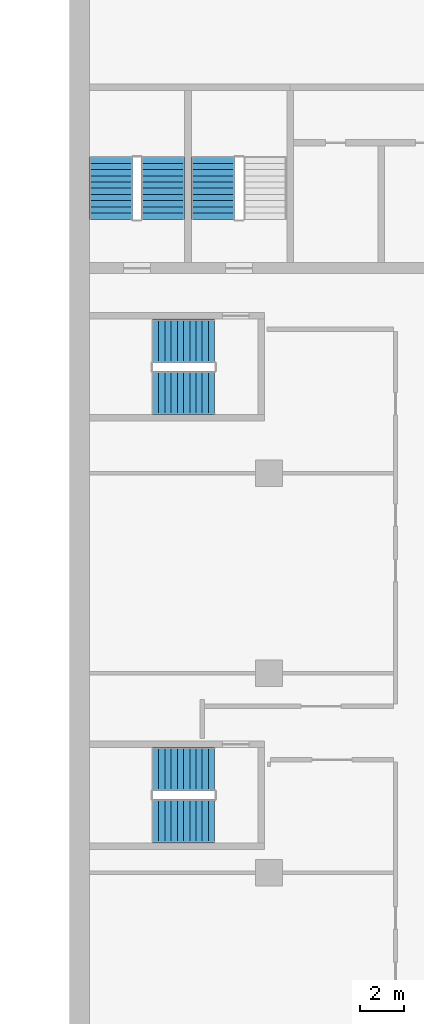
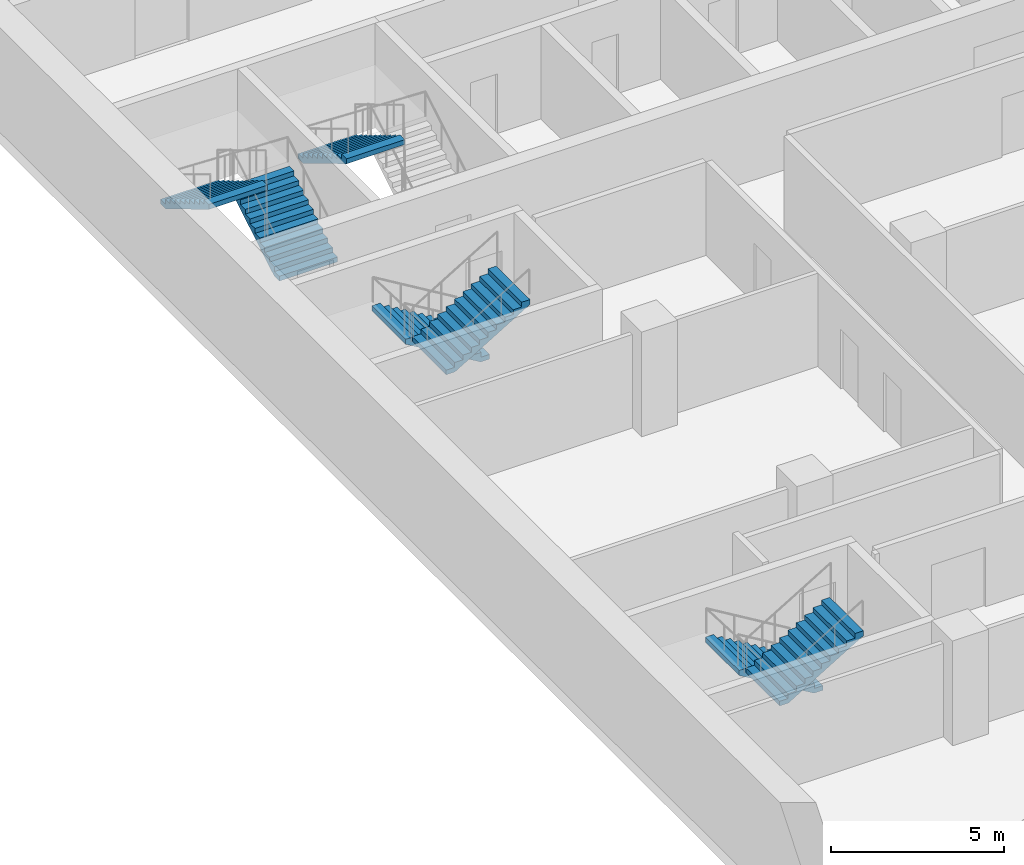
# One storey, part 15 of 22: 7 stair flights, 4 elements without a shape of their own.
"""IFC4 building model written with IfcOpenShell, lengths in metres."""

from ifc_helpers import new_model, si_unit, direction, frame, origin, place, context, subcontext, project, spatial, polyline, outline, extrude, material, type_object, element, aggregate, save


model = new_model("IFC4")

# Units and contexts
model_context = context("Model", 3, precision=1e-05, world=origin(), true_north=direction((0.0, 1.0)))
body_context = subcontext(model_context, "Body", "Model", "MODEL_VIEW")
ifc_project = project(units=[si_unit("LENGTHUNIT", "METRE"), si_unit("AREAUNIT", "SQUARE_METRE"), si_unit("VOLUMEUNIT", "CUBIC_METRE"), si_unit("PLANEANGLEUNIT", "RADIAN"), si_unit("MASSUNIT", "GRAM", prefix="KILO")], contexts=[model_context])

# Site, building, storey
site_placement = place(None, origin())
site = spatial("IfcSite", under=ifc_project, at=site_placement, CompositionType="ELEMENT")
building_placement = place(site_placement, origin())
building = spatial("IfcBuilding", under=site, at=building_placement, Name="Hunhe Ridgeline Campus", CompositionType="ELEMENT")
storey_placement = place(building_placement, frame((0.0, 0.0, 141.199951171875)))
storey = spatial("IfcBuildingStorey", under=building, at=storey_placement, Name="L35", CompositionType="ELEMENT", Elevation=141.199951171875)

# Stair, stair flights
ifc_material = material(Name="Concrete C40", Category="concrete")
stair_type = type_object("IfcStairType", Name="Reinforced concrete dog-leg stair 1950 Concrete C40", PredefinedType="HALF_TURN_STAIR", material=ifc_material)
stair_1_placement = place(storey_placement, origin())
stair_1 = element("IfcStair", 1, at=stair_1_placement, inside=storey, type_object=stair_type, Name="L35 S3", PredefinedType="HALF_TURN_STAIR")
stair_flight_type = type_object("IfcStairFlightType", Name="Reinforced concrete stair flight 1950 Concrete C40", PredefinedType="STRAIGHT", material=ifc_material)
stair_flight_1_placement = place(storey_placement, frame((4.22509765625, 65.449951171875, 0.0), z_axis=(0.0, 0.0, 1.0), x_axis=(0.0, 1.0, 0.0)))
stair_flight_1 = element("IfcStairFlight", 2, at=stair_flight_1_placement, type_object=stair_flight_type, Name="ST3 flight 1", NumberOfRisers=11, NumberOfTreads=10, PredefinedType="STRAIGHT", RiserHeight=0.168181818, TreadLength=0.28, context=body_context, shape_type="SweptSolid", body=[
    extrude(outline(polyline([(0.0, 0.0), (0.0, 0.168212890625), (0.280029296875, 0.168212890625), (0.280029296875, 0.33642578125), (0.56005859375, 0.33642578125), (0.56005859375, 0.504638671875), (0.840087890625, 0.504638671875), (0.840087890625, 0.672607421875), (1.1201171875, 0.672607421875), (1.1201171875, 0.8408203125), (1.39990234375, 0.8408203125), (1.39990234375, 1.009033203125), (1.679931640625, 1.009033203125), (1.679931640625, 1.17724609375), (1.9599609375, 1.17724609375), (1.9599609375, 1.345458984375), (2.239990234375, 1.345458984375), (2.239990234375, 1.513671875), (2.52001953125, 1.513671875), (2.52001953125, 1.681884765625), (2.800048828125, 1.681884765625), (2.800048828125, 1.85009765625), (2.800048828125, 1.5068359375), (0.291015625, 0.0), (0.0, 0.0)])), frame((0.0, 0.97509765625, 0.0), z_axis=(0.0, -1.0, 0.0), x_axis=(1.0, 0.0, 0.0)), (0.0, 0.0, 1.0), 1.949951171875),
    extrude(outline(polyline([(0.030029296875, 0.030029296875), (0.030029296875, 0.13818359375), (0.31005859375, 0.13818359375), (0.31005859375, 0.306396484375), (0.590087890625, 0.306396484375), (0.590087890625, 0.474609375), (0.8701171875, 0.474609375), (0.8701171875, 0.642578125), (1.14990234375, 0.642578125), (1.14990234375, 0.810791015625), (1.429931640625, 0.810791015625), (1.429931640625, 0.97900390625), (1.7099609375, 0.97900390625), (1.7099609375, 1.147216796875), (1.989990234375, 1.147216796875), (1.989990234375, 1.3154296875), (2.27001953125, 1.3154296875), (2.27001953125, 1.483642578125), (2.550048828125, 1.483642578125), (2.550048828125, 1.65185546875), (2.77001953125, 1.65185546875), (2.77001953125, 1.52392578125), (0.28271484375, 0.030029296875), (0.030029296875, 0.030029296875)])), frame((0.0, -0.070068359375, 0.0), z_axis=(0.0, -1.0, 0.0), x_axis=(1.0, 0.0, 0.0)), (0.0, 0.0, 1.0), 0.019775390625),
    extrude(outline(polyline([(0.030029296875, 0.030029296875), (0.030029296875, 0.13818359375), (0.31005859375, 0.13818359375), (0.31005859375, 0.306396484375), (0.590087890625, 0.306396484375), (0.590087890625, 0.474609375), (0.8701171875, 0.474609375), (0.8701171875, 0.642578125), (1.14990234375, 0.642578125), (1.14990234375, 0.810791015625), (1.429931640625, 0.810791015625), (1.429931640625, 0.97900390625), (1.7099609375, 0.97900390625), (1.7099609375, 1.147216796875), (1.989990234375, 1.147216796875), (1.989990234375, 1.3154296875), (2.27001953125, 1.3154296875), (2.27001953125, 1.483642578125), (2.550048828125, 1.483642578125), (2.550048828125, 1.65185546875), (2.77001953125, 1.65185546875), (2.77001953125, 1.52392578125), (0.28271484375, 0.030029296875), (0.030029296875, 0.030029296875)])), frame((0.0, 0.010009765625, 0.0), z_axis=(0.0, -1.0, 0.0), x_axis=(1.0, 0.0, 0.0)), (0.0, 0.0, 1.0), 0.019775390625),
    extrude(outline(polyline([(0.030029296875, 0.030029296875), (0.030029296875, 0.13818359375), (0.31005859375, 0.13818359375), (0.31005859375, 0.306396484375), (0.590087890625, 0.306396484375), (0.590087890625, 0.474609375), (0.8701171875, 0.474609375), (0.8701171875, 0.642578125), (1.14990234375, 0.642578125), (1.14990234375, 0.810791015625), (1.429931640625, 0.810791015625), (1.429931640625, 0.97900390625), (1.7099609375, 0.97900390625), (1.7099609375, 1.147216796875), (1.989990234375, 1.147216796875), (1.989990234375, 1.3154296875), (2.27001953125, 1.3154296875), (2.27001953125, 1.483642578125), (2.550048828125, 1.483642578125), (2.550048828125, 1.65185546875), (2.77001953125, 1.65185546875), (2.77001953125, 1.52392578125), (0.28271484375, 0.030029296875), (0.030029296875, 0.030029296875)])), frame((0.0, 0.090087890625, 0.0), z_axis=(0.0, -1.0, 0.0), x_axis=(1.0, 0.0, 0.0)), (0.0, 0.0, 1.0), 0.019775390625),
])
stair_flight_2_placement = place(storey_placement, frame((1.875, 68.25, 1.85009765625), z_axis=(0.0, 0.0, 1.0), x_axis=(0.0, -1.0, 0.0)))
stair_flight_2 = element("IfcStairFlight", 3, at=stair_flight_2_placement, type_object=stair_flight_type, Name="ST3 flight 2", NumberOfRisers=11, NumberOfTreads=10, PredefinedType="STRAIGHT", RiserHeight=0.168181818, TreadLength=0.28, context=body_context, shape_type="SweptSolid", body=[
    extrude(outline(polyline([(0.0, 0.0), (0.0, 0.168212890625), (0.280029296875, 0.168212890625), (0.280029296875, 0.33642578125), (0.56005859375, 0.33642578125), (0.56005859375, 0.504638671875), (0.840087890625, 0.504638671875), (0.840087890625, 0.672607421875), (1.1201171875, 0.672607421875), (1.1201171875, 0.8408203125), (1.39990234375, 0.8408203125), (1.39990234375, 1.009033203125), (1.679931640625, 1.009033203125), (1.679931640625, 1.17724609375), (1.9599609375, 1.17724609375), (1.9599609375, 1.345458984375), (2.239990234375, 1.345458984375), (2.239990234375, 1.513671875), (2.52001953125, 1.513671875), (2.52001953125, 1.681884765625), (2.800048828125, 1.681884765625), (2.800048828125, 1.85009765625), (2.800048828125, 1.5068359375), (0.291015625, 0.0), (0.0, 0.0)])), frame((0.0, 0.97509765625, 0.0), z_axis=(0.0, -1.0, 0.0), x_axis=(1.0, 0.0, 0.0)), (0.0, 0.0, 1.0), 1.949951171875),
    extrude(outline(polyline([(0.030029296875, 0.030029296875), (0.030029296875, 0.13818359375), (0.31005859375, 0.13818359375), (0.31005859375, 0.306396484375), (0.590087890625, 0.306396484375), (0.590087890625, 0.474609375), (0.8701171875, 0.474609375), (0.8701171875, 0.642578125), (1.14990234375, 0.642578125), (1.14990234375, 0.810791015625), (1.429931640625, 0.810791015625), (1.429931640625, 0.97900390625), (1.7099609375, 0.97900390625), (1.7099609375, 1.147216796875), (1.989990234375, 1.147216796875), (1.989990234375, 1.3154296875), (2.27001953125, 1.3154296875), (2.27001953125, 1.483642578125), (2.550048828125, 1.483642578125), (2.550048828125, 1.65185546875), (2.77001953125, 1.65185546875), (2.77001953125, 1.52392578125), (0.28271484375, 0.030029296875), (0.030029296875, 0.030029296875)])), frame((0.0, -0.070068359375, 0.0), z_axis=(0.0, -1.0, 0.0), x_axis=(1.0, 0.0, 0.0)), (0.0, 0.0, 1.0), 0.019775390625),
    extrude(outline(polyline([(0.030029296875, 0.030029296875), (0.030029296875, 0.13818359375), (0.31005859375, 0.13818359375), (0.31005859375, 0.306396484375), (0.590087890625, 0.306396484375), (0.590087890625, 0.474609375), (0.8701171875, 0.474609375), (0.8701171875, 0.642578125), (1.14990234375, 0.642578125), (1.14990234375, 0.810791015625), (1.429931640625, 0.810791015625), (1.429931640625, 0.97900390625), (1.7099609375, 0.97900390625), (1.7099609375, 1.147216796875), (1.989990234375, 1.147216796875), (1.989990234375, 1.3154296875), (2.27001953125, 1.3154296875), (2.27001953125, 1.483642578125), (2.550048828125, 1.483642578125), (2.550048828125, 1.65185546875), (2.77001953125, 1.65185546875), (2.77001953125, 1.52392578125), (0.28271484375, 0.030029296875), (0.030029296875, 0.030029296875)])), frame((0.0, 0.010009765625, 0.0), z_axis=(0.0, -1.0, 0.0), x_axis=(1.0, 0.0, 0.0)), (0.0, 0.0, 1.0), 0.019775390625),
    extrude(outline(polyline([(0.030029296875, 0.030029296875), (0.030029296875, 0.13818359375), (0.31005859375, 0.13818359375), (0.31005859375, 0.306396484375), (0.590087890625, 0.306396484375), (0.590087890625, 0.474609375), (0.8701171875, 0.474609375), (0.8701171875, 0.642578125), (1.14990234375, 0.642578125), (1.14990234375, 0.810791015625), (1.429931640625, 0.810791015625), (1.429931640625, 0.97900390625), (1.7099609375, 0.97900390625), (1.7099609375, 1.147216796875), (1.989990234375, 1.147216796875), (1.989990234375, 1.3154296875), (2.27001953125, 1.3154296875), (2.27001953125, 1.483642578125), (2.550048828125, 1.483642578125), (2.550048828125, 1.65185546875), (2.77001953125, 1.65185546875), (2.77001953125, 1.52392578125), (0.28271484375, 0.030029296875), (0.030029296875, 0.030029296875)])), frame((0.0, 0.090087890625, 0.0), z_axis=(0.0, -1.0, 0.0), x_axis=(1.0, 0.0, 0.0)), (0.0, 0.0, 1.0), 0.019775390625),
])
aggregate(stair_1, [stair_flight_1, stair_flight_2])

# Stair, stair flight
stair_2_placement = place(storey_placement, origin())
stair_2 = element("IfcStair", 4, at=stair_2_placement, inside=storey, type_object=stair_type, Name="L35 S4", PredefinedType="HALF_TURN_STAIR")
stair_flight_3_placement = place(storey_placement, frame((6.47509765625, 68.25, 1.85009765625), z_axis=(0.0, 0.0, 1.0), x_axis=(0.0, -1.0, 0.0)))
stair_flight_3 = element("IfcStairFlight", 5, at=stair_flight_3_placement, type_object=stair_flight_type, Name="ST4 flight 2", NumberOfRisers=11, NumberOfTreads=10, PredefinedType="STRAIGHT", RiserHeight=0.168181818, TreadLength=0.28, context=body_context, shape_type="SweptSolid", body=[
    extrude(outline(polyline([(0.0, 0.0), (0.0, 0.168212890625), (0.280029296875, 0.168212890625), (0.280029296875, 0.33642578125), (0.56005859375, 0.33642578125), (0.56005859375, 0.504638671875), (0.840087890625, 0.504638671875), (0.840087890625, 0.672607421875), (1.1201171875, 0.672607421875), (1.1201171875, 0.8408203125), (1.39990234375, 0.8408203125), (1.39990234375, 1.009033203125), (1.679931640625, 1.009033203125), (1.679931640625, 1.17724609375), (1.9599609375, 1.17724609375), (1.9599609375, 1.345458984375), (2.239990234375, 1.345458984375), (2.239990234375, 1.513671875), (2.52001953125, 1.513671875), (2.52001953125, 1.681884765625), (2.800048828125, 1.681884765625), (2.800048828125, 1.85009765625), (2.800048828125, 1.5068359375), (0.291015625, 0.0), (0.0, 0.0)])), frame((0.0, 0.97509765625, 0.0), z_axis=(0.0, -1.0, 0.0), x_axis=(1.0, 0.0, 0.0)), (0.0, 0.0, 1.0), 1.949951171875),
    extrude(outline(polyline([(0.030029296875, 0.030029296875), (0.030029296875, 0.13818359375), (0.31005859375, 0.13818359375), (0.31005859375, 0.306396484375), (0.590087890625, 0.306396484375), (0.590087890625, 0.474609375), (0.8701171875, 0.474609375), (0.8701171875, 0.642578125), (1.14990234375, 0.642578125), (1.14990234375, 0.810791015625), (1.429931640625, 0.810791015625), (1.429931640625, 0.97900390625), (1.7099609375, 0.97900390625), (1.7099609375, 1.147216796875), (1.989990234375, 1.147216796875), (1.989990234375, 1.3154296875), (2.27001953125, 1.3154296875), (2.27001953125, 1.483642578125), (2.550048828125, 1.483642578125), (2.550048828125, 1.65185546875), (2.77001953125, 1.65185546875), (2.77001953125, 1.52392578125), (0.28271484375, 0.030029296875), (0.030029296875, 0.030029296875)])), frame((0.0, -0.070068359375, 0.0), z_axis=(0.0, -1.0, 0.0), x_axis=(1.0, 0.0, 0.0)), (0.0, 0.0, 1.0), 0.019775390625),
    extrude(outline(polyline([(0.030029296875, 0.030029296875), (0.030029296875, 0.13818359375), (0.31005859375, 0.13818359375), (0.31005859375, 0.306396484375), (0.590087890625, 0.306396484375), (0.590087890625, 0.474609375), (0.8701171875, 0.474609375), (0.8701171875, 0.642578125), (1.14990234375, 0.642578125), (1.14990234375, 0.810791015625), (1.429931640625, 0.810791015625), (1.429931640625, 0.97900390625), (1.7099609375, 0.97900390625), (1.7099609375, 1.147216796875), (1.989990234375, 1.147216796875), (1.989990234375, 1.3154296875), (2.27001953125, 1.3154296875), (2.27001953125, 1.483642578125), (2.550048828125, 1.483642578125), (2.550048828125, 1.65185546875), (2.77001953125, 1.65185546875), (2.77001953125, 1.52392578125), (0.28271484375, 0.030029296875), (0.030029296875, 0.030029296875)])), frame((0.0, 0.010009765625, 0.0), z_axis=(0.0, -1.0, 0.0), x_axis=(1.0, 0.0, 0.0)), (0.0, 0.0, 1.0), 0.019775390625),
    extrude(outline(polyline([(0.030029296875, 0.030029296875), (0.030029296875, 0.13818359375), (0.31005859375, 0.13818359375), (0.31005859375, 0.306396484375), (0.590087890625, 0.306396484375), (0.590087890625, 0.474609375), (0.8701171875, 0.474609375), (0.8701171875, 0.642578125), (1.14990234375, 0.642578125), (1.14990234375, 0.810791015625), (1.429931640625, 0.810791015625), (1.429931640625, 0.97900390625), (1.7099609375, 0.97900390625), (1.7099609375, 1.147216796875), (1.989990234375, 1.147216796875), (1.989990234375, 1.3154296875), (2.27001953125, 1.3154296875), (2.27001953125, 1.483642578125), (2.550048828125, 1.483642578125), (2.550048828125, 1.65185546875), (2.77001953125, 1.65185546875), (2.77001953125, 1.52392578125), (0.28271484375, 0.030029296875), (0.030029296875, 0.030029296875)])), frame((0.0, 0.090087890625, 0.0), z_axis=(0.0, -1.0, 0.0), x_axis=(1.0, 0.0, 0.0)), (0.0, 0.0, 1.0), 0.019775390625),
])
aggregate(stair_2, [stair_flight_3])

# Stair, stair flights
stair_3_placement = place(storey_placement, origin())
stair_3 = element("IfcStair", 6, at=stair_3_placement, inside=storey, type_object=stair_type, Name="L35 W1", PredefinedType="HALF_TURN_STAIR")
stair_flight_4_placement = place(storey_placement, frame((6.550048828125, 40.675048828125, 0.0), z_axis=(0.0, 0.0, 1.0), x_axis=(-1.0, 0.0, 0.0)))
stair_flight_4 = element("IfcStairFlight", 7, at=stair_flight_4_placement, type_object=stair_flight_type, Name="ST11 flight 1", NumberOfRisers=11, NumberOfTreads=10, PredefinedType="STRAIGHT", RiserHeight=0.168181818, TreadLength=0.28, context=body_context, shape_type="SweptSolid", body=[
    extrude(outline(polyline([(0.0, 0.0), (0.0, 0.168212890625), (0.280029296875, 0.168212890625), (0.280029296875, 0.33642578125), (0.56005859375, 0.33642578125), (0.56005859375, 0.504638671875), (0.840087890625, 0.504638671875), (0.840087890625, 0.672607421875), (1.1201171875, 0.672607421875), (1.1201171875, 0.8408203125), (1.39990234375, 0.8408203125), (1.39990234375, 1.009033203125), (1.679931640625, 1.009033203125), (1.679931640625, 1.17724609375), (1.9599609375, 1.17724609375), (1.9599609375, 1.345458984375), (2.239990234375, 1.345458984375), (2.239990234375, 1.513671875), (2.52001953125, 1.513671875), (2.52001953125, 1.681884765625), (2.800048828125, 1.681884765625), (2.800048828125, 1.85009765625), (2.800048828125, 1.5068359375), (0.291015625, 0.0), (0.0, 0.0)])), frame((0.0, 0.97509765625, 0.0), z_axis=(0.0, -1.0, 0.0), x_axis=(1.0, 0.0, 0.0)), (0.0, 0.0, 1.0), 1.949951171875),
    extrude(outline(polyline([(0.030029296875, 0.030029296875), (0.030029296875, 0.13818359375), (0.31005859375, 0.13818359375), (0.31005859375, 0.306396484375), (0.590087890625, 0.306396484375), (0.590087890625, 0.474609375), (0.8701171875, 0.474609375), (0.8701171875, 0.642578125), (1.14990234375, 0.642578125), (1.14990234375, 0.810791015625), (1.429931640625, 0.810791015625), (1.429931640625, 0.97900390625), (1.7099609375, 0.97900390625), (1.7099609375, 1.147216796875), (1.989990234375, 1.147216796875), (1.989990234375, 1.3154296875), (2.27001953125, 1.3154296875), (2.27001953125, 1.483642578125), (2.550048828125, 1.483642578125), (2.550048828125, 1.65185546875), (2.77001953125, 1.65185546875), (2.77001953125, 1.52392578125), (0.28271484375, 0.030029296875), (0.030029296875, 0.030029296875)])), frame((0.0, -0.070068359375, 0.0), z_axis=(0.0, -1.0, 0.0), x_axis=(1.0, 0.0, 0.0)), (0.0, 0.0, 1.0), 0.019775390625),
    extrude(outline(polyline([(0.030029296875, 0.030029296875), (0.030029296875, 0.13818359375), (0.31005859375, 0.13818359375), (0.31005859375, 0.306396484375), (0.590087890625, 0.306396484375), (0.590087890625, 0.474609375), (0.8701171875, 0.474609375), (0.8701171875, 0.642578125), (1.14990234375, 0.642578125), (1.14990234375, 0.810791015625), (1.429931640625, 0.810791015625), (1.429931640625, 0.97900390625), (1.7099609375, 0.97900390625), (1.7099609375, 1.147216796875), (1.989990234375, 1.147216796875), (1.989990234375, 1.3154296875), (2.27001953125, 1.3154296875), (2.27001953125, 1.483642578125), (2.550048828125, 1.483642578125), (2.550048828125, 1.65185546875), (2.77001953125, 1.65185546875), (2.77001953125, 1.52392578125), (0.28271484375, 0.030029296875), (0.030029296875, 0.030029296875)])), frame((0.0, 0.010009765625, 0.0), z_axis=(0.0, -1.0, 0.0), x_axis=(1.0, 0.0, 0.0)), (0.0, 0.0, 1.0), 0.019775390625),
    extrude(outline(polyline([(0.030029296875, 0.030029296875), (0.030029296875, 0.13818359375), (0.31005859375, 0.13818359375), (0.31005859375, 0.306396484375), (0.590087890625, 0.306396484375), (0.590087890625, 0.474609375), (0.8701171875, 0.474609375), (0.8701171875, 0.642578125), (1.14990234375, 0.642578125), (1.14990234375, 0.810791015625), (1.429931640625, 0.810791015625), (1.429931640625, 0.97900390625), (1.7099609375, 0.97900390625), (1.7099609375, 1.147216796875), (1.989990234375, 1.147216796875), (1.989990234375, 1.3154296875), (2.27001953125, 1.3154296875), (2.27001953125, 1.483642578125), (2.550048828125, 1.483642578125), (2.550048828125, 1.65185546875), (2.77001953125, 1.65185546875), (2.77001953125, 1.52392578125), (0.28271484375, 0.030029296875), (0.030029296875, 0.030029296875)])), frame((0.0, 0.090087890625, 0.0), z_axis=(0.0, -1.0, 0.0), x_axis=(1.0, 0.0, 0.0)), (0.0, 0.0, 1.0), 0.019775390625),
])
stair_flight_5_placement = place(storey_placement, frame((3.75, 38.324951171875, 1.85009765625), z_axis=(0.0, 0.0, 1.0), x_axis=(1.0, 0.0, 0.0)))
stair_flight_5 = element("IfcStairFlight", 8, at=stair_flight_5_placement, type_object=stair_flight_type, Name="ST11 flight 2", NumberOfRisers=11, NumberOfTreads=10, PredefinedType="STRAIGHT", RiserHeight=0.168181818, TreadLength=0.28, context=body_context, shape_type="SweptSolid", body=[
    extrude(outline(polyline([(0.0, 0.0), (0.0, 0.168212890625), (0.280029296875, 0.168212890625), (0.280029296875, 0.33642578125), (0.56005859375, 0.33642578125), (0.56005859375, 0.504638671875), (0.840087890625, 0.504638671875), (0.840087890625, 0.672607421875), (1.1201171875, 0.672607421875), (1.1201171875, 0.8408203125), (1.39990234375, 0.8408203125), (1.39990234375, 1.009033203125), (1.679931640625, 1.009033203125), (1.679931640625, 1.17724609375), (1.9599609375, 1.17724609375), (1.9599609375, 1.345458984375), (2.239990234375, 1.345458984375), (2.239990234375, 1.513671875), (2.52001953125, 1.513671875), (2.52001953125, 1.681884765625), (2.800048828125, 1.681884765625), (2.800048828125, 1.85009765625), (2.800048828125, 1.5068359375), (0.291015625, 0.0), (0.0, 0.0)])), frame((0.0, 0.97509765625, 0.0), z_axis=(0.0, -1.0, 0.0), x_axis=(1.0, 0.0, 0.0)), (0.0, 0.0, 1.0), 1.949951171875),
    extrude(outline(polyline([(0.030029296875, 0.030029296875), (0.030029296875, 0.13818359375), (0.31005859375, 0.13818359375), (0.31005859375, 0.306396484375), (0.590087890625, 0.306396484375), (0.590087890625, 0.474609375), (0.8701171875, 0.474609375), (0.8701171875, 0.642578125), (1.14990234375, 0.642578125), (1.14990234375, 0.810791015625), (1.429931640625, 0.810791015625), (1.429931640625, 0.97900390625), (1.7099609375, 0.97900390625), (1.7099609375, 1.147216796875), (1.989990234375, 1.147216796875), (1.989990234375, 1.3154296875), (2.27001953125, 1.3154296875), (2.27001953125, 1.483642578125), (2.550048828125, 1.483642578125), (2.550048828125, 1.65185546875), (2.77001953125, 1.65185546875), (2.77001953125, 1.52392578125), (0.28271484375, 0.030029296875), (0.030029296875, 0.030029296875)])), frame((0.0, -0.070068359375, 0.0), z_axis=(0.0, -1.0, 0.0), x_axis=(1.0, 0.0, 0.0)), (0.0, 0.0, 1.0), 0.019775390625),
    extrude(outline(polyline([(0.030029296875, 0.030029296875), (0.030029296875, 0.13818359375), (0.31005859375, 0.13818359375), (0.31005859375, 0.306396484375), (0.590087890625, 0.306396484375), (0.590087890625, 0.474609375), (0.8701171875, 0.474609375), (0.8701171875, 0.642578125), (1.14990234375, 0.642578125), (1.14990234375, 0.810791015625), (1.429931640625, 0.810791015625), (1.429931640625, 0.97900390625), (1.7099609375, 0.97900390625), (1.7099609375, 1.147216796875), (1.989990234375, 1.147216796875), (1.989990234375, 1.3154296875), (2.27001953125, 1.3154296875), (2.27001953125, 1.483642578125), (2.550048828125, 1.483642578125), (2.550048828125, 1.65185546875), (2.77001953125, 1.65185546875), (2.77001953125, 1.52392578125), (0.28271484375, 0.030029296875), (0.030029296875, 0.030029296875)])), frame((0.0, 0.010009765625, 0.0), z_axis=(0.0, -1.0, 0.0), x_axis=(1.0, 0.0, 0.0)), (0.0, 0.0, 1.0), 0.019775390625),
    extrude(outline(polyline([(0.030029296875, 0.030029296875), (0.030029296875, 0.13818359375), (0.31005859375, 0.13818359375), (0.31005859375, 0.306396484375), (0.590087890625, 0.306396484375), (0.590087890625, 0.474609375), (0.8701171875, 0.474609375), (0.8701171875, 0.642578125), (1.14990234375, 0.642578125), (1.14990234375, 0.810791015625), (1.429931640625, 0.810791015625), (1.429931640625, 0.97900390625), (1.7099609375, 0.97900390625), (1.7099609375, 1.147216796875), (1.989990234375, 1.147216796875), (1.989990234375, 1.3154296875), (2.27001953125, 1.3154296875), (2.27001953125, 1.483642578125), (2.550048828125, 1.483642578125), (2.550048828125, 1.65185546875), (2.77001953125, 1.65185546875), (2.77001953125, 1.52392578125), (0.28271484375, 0.030029296875), (0.030029296875, 0.030029296875)])), frame((0.0, 0.090087890625, 0.0), z_axis=(0.0, -1.0, 0.0), x_axis=(1.0, 0.0, 0.0)), (0.0, 0.0, 1.0), 0.019775390625),
])
aggregate(stair_3, [stair_flight_4, stair_flight_5])

stair_4_placement = place(storey_placement, origin())
stair_4 = element("IfcStair", 9, at=stair_4_placement, inside=storey, type_object=stair_type, Name="L35 W2", PredefinedType="HALF_TURN_STAIR")
stair_flight_6_placement = place(storey_placement, frame((6.550048828125, 59.97509765625, 0.0), z_axis=(0.0, 0.0, 1.0), x_axis=(-1.0, 0.0, 0.0)))
stair_flight_6 = element("IfcStairFlight", 10, at=stair_flight_6_placement, type_object=stair_flight_type, Name="ST12 flight 1", NumberOfRisers=11, NumberOfTreads=10, PredefinedType="STRAIGHT", RiserHeight=0.168181818, TreadLength=0.28, context=body_context, shape_type="SweptSolid", body=[
    extrude(outline(polyline([(0.0, 0.0), (0.0, 0.168212890625), (0.280029296875, 0.168212890625), (0.280029296875, 0.33642578125), (0.56005859375, 0.33642578125), (0.56005859375, 0.504638671875), (0.840087890625, 0.504638671875), (0.840087890625, 0.672607421875), (1.1201171875, 0.672607421875), (1.1201171875, 0.8408203125), (1.39990234375, 0.8408203125), (1.39990234375, 1.009033203125), (1.679931640625, 1.009033203125), (1.679931640625, 1.17724609375), (1.9599609375, 1.17724609375), (1.9599609375, 1.345458984375), (2.239990234375, 1.345458984375), (2.239990234375, 1.513671875), (2.52001953125, 1.513671875), (2.52001953125, 1.681884765625), (2.800048828125, 1.681884765625), (2.800048828125, 1.85009765625), (2.800048828125, 1.5068359375), (0.291015625, 0.0), (0.0, 0.0)])), frame((0.0, 0.97509765625, 0.0), z_axis=(0.0, -1.0, 0.0), x_axis=(1.0, 0.0, 0.0)), (0.0, 0.0, 1.0), 1.949951171875),
    extrude(outline(polyline([(0.030029296875, 0.030029296875), (0.030029296875, 0.13818359375), (0.31005859375, 0.13818359375), (0.31005859375, 0.306396484375), (0.590087890625, 0.306396484375), (0.590087890625, 0.474609375), (0.8701171875, 0.474609375), (0.8701171875, 0.642578125), (1.14990234375, 0.642578125), (1.14990234375, 0.810791015625), (1.429931640625, 0.810791015625), (1.429931640625, 0.97900390625), (1.7099609375, 0.97900390625), (1.7099609375, 1.147216796875), (1.989990234375, 1.147216796875), (1.989990234375, 1.3154296875), (2.27001953125, 1.3154296875), (2.27001953125, 1.483642578125), (2.550048828125, 1.483642578125), (2.550048828125, 1.65185546875), (2.77001953125, 1.65185546875), (2.77001953125, 1.52392578125), (0.28271484375, 0.030029296875), (0.030029296875, 0.030029296875)])), frame((0.0, -0.070068359375, 0.0), z_axis=(0.0, -1.0, 0.0), x_axis=(1.0, 0.0, 0.0)), (0.0, 0.0, 1.0), 0.019775390625),
    extrude(outline(polyline([(0.030029296875, 0.030029296875), (0.030029296875, 0.13818359375), (0.31005859375, 0.13818359375), (0.31005859375, 0.306396484375), (0.590087890625, 0.306396484375), (0.590087890625, 0.474609375), (0.8701171875, 0.474609375), (0.8701171875, 0.642578125), (1.14990234375, 0.642578125), (1.14990234375, 0.810791015625), (1.429931640625, 0.810791015625), (1.429931640625, 0.97900390625), (1.7099609375, 0.97900390625), (1.7099609375, 1.147216796875), (1.989990234375, 1.147216796875), (1.989990234375, 1.3154296875), (2.27001953125, 1.3154296875), (2.27001953125, 1.483642578125), (2.550048828125, 1.483642578125), (2.550048828125, 1.65185546875), (2.77001953125, 1.65185546875), (2.77001953125, 1.52392578125), (0.28271484375, 0.030029296875), (0.030029296875, 0.030029296875)])), frame((0.0, 0.010009765625, 0.0), z_axis=(0.0, -1.0, 0.0), x_axis=(1.0, 0.0, 0.0)), (0.0, 0.0, 1.0), 0.019775390625),
    extrude(outline(polyline([(0.030029296875, 0.030029296875), (0.030029296875, 0.13818359375), (0.31005859375, 0.13818359375), (0.31005859375, 0.306396484375), (0.590087890625, 0.306396484375), (0.590087890625, 0.474609375), (0.8701171875, 0.474609375), (0.8701171875, 0.642578125), (1.14990234375, 0.642578125), (1.14990234375, 0.810791015625), (1.429931640625, 0.810791015625), (1.429931640625, 0.97900390625), (1.7099609375, 0.97900390625), (1.7099609375, 1.147216796875), (1.989990234375, 1.147216796875), (1.989990234375, 1.3154296875), (2.27001953125, 1.3154296875), (2.27001953125, 1.483642578125), (2.550048828125, 1.483642578125), (2.550048828125, 1.65185546875), (2.77001953125, 1.65185546875), (2.77001953125, 1.52392578125), (0.28271484375, 0.030029296875), (0.030029296875, 0.030029296875)])), frame((0.0, 0.090087890625, 0.0), z_axis=(0.0, -1.0, 0.0), x_axis=(1.0, 0.0, 0.0)), (0.0, 0.0, 1.0), 0.019775390625),
])
stair_flight_7_placement = place(storey_placement, frame((3.75, 57.625, 1.85009765625), z_axis=(0.0, 0.0, 1.0), x_axis=(1.0, 0.0, 0.0)))
stair_flight_7 = element("IfcStairFlight", 11, at=stair_flight_7_placement, type_object=stair_flight_type, Name="ST12 flight 2", NumberOfRisers=11, NumberOfTreads=10, PredefinedType="STRAIGHT", RiserHeight=0.168181818, TreadLength=0.28, context=body_context, shape_type="SweptSolid", body=[
    extrude(outline(polyline([(0.0, 0.0), (0.0, 0.168212890625), (0.280029296875, 0.168212890625), (0.280029296875, 0.33642578125), (0.56005859375, 0.33642578125), (0.56005859375, 0.504638671875), (0.840087890625, 0.504638671875), (0.840087890625, 0.672607421875), (1.1201171875, 0.672607421875), (1.1201171875, 0.8408203125), (1.39990234375, 0.8408203125), (1.39990234375, 1.009033203125), (1.679931640625, 1.009033203125), (1.679931640625, 1.17724609375), (1.9599609375, 1.17724609375), (1.9599609375, 1.345458984375), (2.239990234375, 1.345458984375), (2.239990234375, 1.513671875), (2.52001953125, 1.513671875), (2.52001953125, 1.681884765625), (2.800048828125, 1.681884765625), (2.800048828125, 1.85009765625), (2.800048828125, 1.5068359375), (0.291015625, 0.0), (0.0, 0.0)])), frame((0.0, 0.97509765625, 0.0), z_axis=(0.0, -1.0, 0.0), x_axis=(1.0, 0.0, 0.0)), (0.0, 0.0, 1.0), 1.949951171875),
    extrude(outline(polyline([(0.030029296875, 0.030029296875), (0.030029296875, 0.13818359375), (0.31005859375, 0.13818359375), (0.31005859375, 0.306396484375), (0.590087890625, 0.306396484375), (0.590087890625, 0.474609375), (0.8701171875, 0.474609375), (0.8701171875, 0.642578125), (1.14990234375, 0.642578125), (1.14990234375, 0.810791015625), (1.429931640625, 0.810791015625), (1.429931640625, 0.97900390625), (1.7099609375, 0.97900390625), (1.7099609375, 1.147216796875), (1.989990234375, 1.147216796875), (1.989990234375, 1.3154296875), (2.27001953125, 1.3154296875), (2.27001953125, 1.483642578125), (2.550048828125, 1.483642578125), (2.550048828125, 1.65185546875), (2.77001953125, 1.65185546875), (2.77001953125, 1.52392578125), (0.28271484375, 0.030029296875), (0.030029296875, 0.030029296875)])), frame((0.0, -0.070068359375, 0.0), z_axis=(0.0, -1.0, 0.0), x_axis=(1.0, 0.0, 0.0)), (0.0, 0.0, 1.0), 0.019775390625),
    extrude(outline(polyline([(0.030029296875, 0.030029296875), (0.030029296875, 0.13818359375), (0.31005859375, 0.13818359375), (0.31005859375, 0.306396484375), (0.590087890625, 0.306396484375), (0.590087890625, 0.474609375), (0.8701171875, 0.474609375), (0.8701171875, 0.642578125), (1.14990234375, 0.642578125), (1.14990234375, 0.810791015625), (1.429931640625, 0.810791015625), (1.429931640625, 0.97900390625), (1.7099609375, 0.97900390625), (1.7099609375, 1.147216796875), (1.989990234375, 1.147216796875), (1.989990234375, 1.3154296875), (2.27001953125, 1.3154296875), (2.27001953125, 1.483642578125), (2.550048828125, 1.483642578125), (2.550048828125, 1.65185546875), (2.77001953125, 1.65185546875), (2.77001953125, 1.52392578125), (0.28271484375, 0.030029296875), (0.030029296875, 0.030029296875)])), frame((0.0, 0.010009765625, 0.0), z_axis=(0.0, -1.0, 0.0), x_axis=(1.0, 0.0, 0.0)), (0.0, 0.0, 1.0), 0.019775390625),
    extrude(outline(polyline([(0.030029296875, 0.030029296875), (0.030029296875, 0.13818359375), (0.31005859375, 0.13818359375), (0.31005859375, 0.306396484375), (0.590087890625, 0.306396484375), (0.590087890625, 0.474609375), (0.8701171875, 0.474609375), (0.8701171875, 0.642578125), (1.14990234375, 0.642578125), (1.14990234375, 0.810791015625), (1.429931640625, 0.810791015625), (1.429931640625, 0.97900390625), (1.7099609375, 0.97900390625), (1.7099609375, 1.147216796875), (1.989990234375, 1.147216796875), (1.989990234375, 1.3154296875), (2.27001953125, 1.3154296875), (2.27001953125, 1.483642578125), (2.550048828125, 1.483642578125), (2.550048828125, 1.65185546875), (2.77001953125, 1.65185546875), (2.77001953125, 1.52392578125), (0.28271484375, 0.030029296875), (0.030029296875, 0.030029296875)])), frame((0.0, 0.090087890625, 0.0), z_axis=(0.0, -1.0, 0.0), x_axis=(1.0, 0.0, 0.0)), (0.0, 0.0, 1.0), 0.019775390625),
])
aggregate(stair_4, [stair_flight_6, stair_flight_7])

save(model, "model.ifc")
